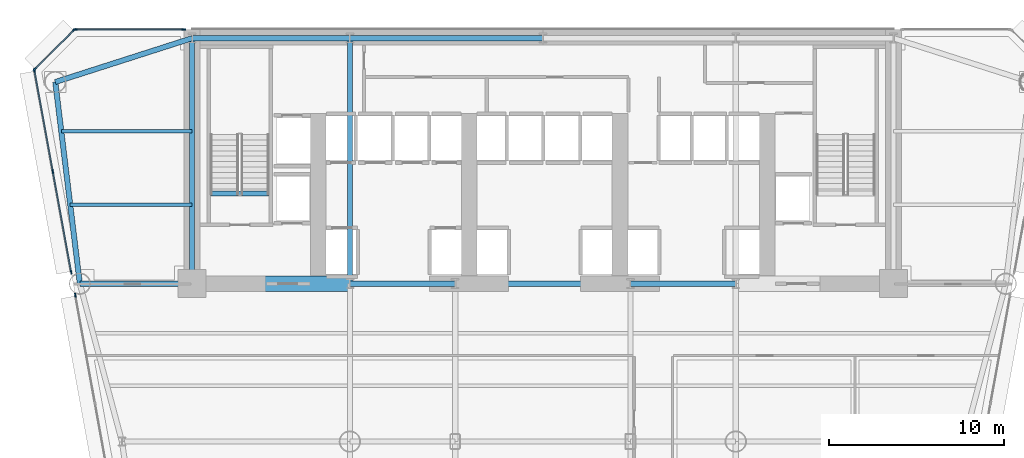
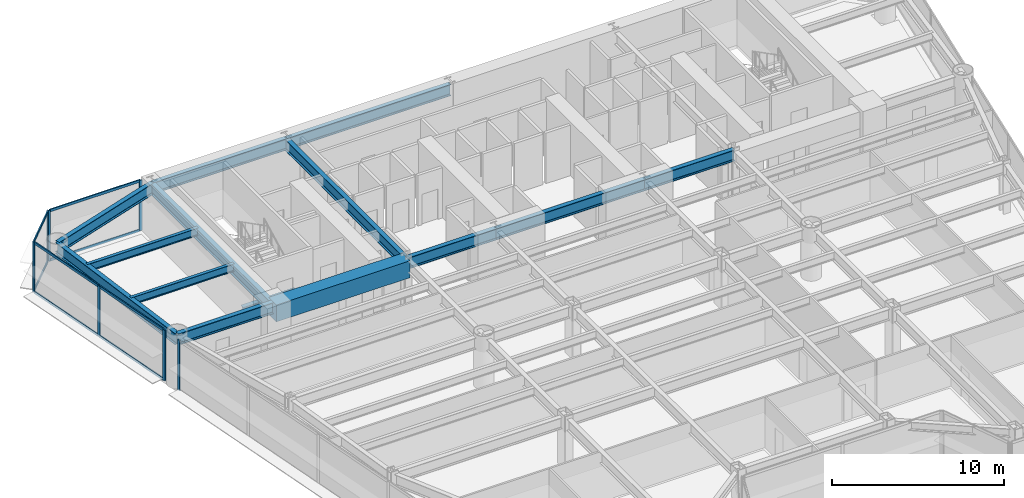
# One storey, part 5 of 14: 16 members, 14 beams, 4 elements without a shape of their own.
"""IFC4 building model written with IfcOpenShell, lengths in metres."""

from ifc_helpers import new_model, si_unit, direction, frame, origin, origin_2d, place, context, subcontext, project, spatial, rectangle, i_section, extrude, source, transform, mapped, material, layer, layer_set, material_profile, profile_set, type_object, element, aggregate, save


model = new_model("IFC4")

# Units and contexts
model_context = context("Model", 3, precision=1e-05, world=origin(), true_north=direction((0.0, 1.0)))
body_context = subcontext(model_context, "Body", "Model", "MODEL_VIEW")
ifc_project = project(units=[si_unit("LENGTHUNIT", "METRE"), si_unit("AREAUNIT", "SQUARE_METRE"), si_unit("VOLUMEUNIT", "CUBIC_METRE"), si_unit("PLANEANGLEUNIT", "RADIAN"), si_unit("MASSUNIT", "GRAM", prefix="KILO")], contexts=[model_context])

# Site, building, storey
site_placement = place(None, origin())
site = spatial("IfcSite", under=ifc_project, at=site_placement, CompositionType="ELEMENT")
building_placement = place(site_placement, origin())
building = spatial("IfcBuilding", under=site, at=building_placement, Name="Vaeldorn Concourse Tower", CompositionType="ELEMENT")
storey_placement = place(building_placement, frame((0.0, 0.0, 60.60009765625)))
storey = spatial("IfcBuildingStorey", under=building, at=storey_placement, Name="L15", CompositionType="ELEMENT", Elevation=60.60009765625)

# Beams
ifc_material_1 = material(Name="Concrete C60/75", Category="concrete")
ifc_material_profile_1 = material_profile(ifc_material_1, rectangle(XDim=0.89990234375, YDim=1.199951171875, at=origin_2d()), Name="RC 900x1200")
ifc_profile_set_1 = profile_set([ifc_material_profile_1], Name="Concrete C60/75")
beam_type_1 = type_object("IfcBeamType", Name="BM-CB-RC900", PredefinedType="BEAM", material=ifc_profile_set_1)
shared_shape_1 = source(origin(), body_context, "Body", "SweptSolid", [
    extrude(rectangle(XDim=0.89990234375, YDim=1.199951171875, at=origin_2d()), origin(), (0.0, 0.0, 1.0), 9.0),
])
beam_1_placement = place(storey_placement, frame((14.0, 36.5, 2.97998046875), z_axis=(1.0, 0.0, 0.0), x_axis=(0.0, 1.0, 0.0)))
element("IfcBeam", 1, at=beam_1_placement, inside=storey, type_object=beam_type_1, Name="Core Coupling Beam L15-1", PredefinedType="BEAM", context=body_context, shape_type="MappedRepresentation", body=[
    mapped(shared_shape_1, transform((0.0, 0.0, 0.0), scale=1.0)),
])
ifc_material_2 = material(Name="Steel S355", Category="steel")
ifc_material_profile_2 = material_profile(ifc_material_2, i_section(OverallWidth=0.300048828125, OverallDepth=0.340087890625, WebThickness=0.011962890625, FlangeThickness=0.021484375, FilletRadius=0.027099609375, at=origin_2d()), Name="HEB 340")
ifc_profile_set_2 = profile_set([ifc_material_profile_2], Name="Steel S355")
beam_type_2 = type_object("IfcBeamType", Name="BM-ST-TRIM", PredefinedType="BEAM", material=ifc_profile_set_2)
shared_shape_2 = source(origin(), body_context, "Body", "SweptSolid", [
    extrude(i_section(OverallWidth=0.300048828125, OverallDepth=0.340087890625, WebThickness=0.011962890625, FlangeThickness=0.021484375, FilletRadius=0.027099609375, at=origin_2d()), origin(), (0.0, 0.0, 1.0), 3.590087890625),
])
beam_2_placement = place(storey_placement, frame((14.929931640625, 41.639892578125, -0.39013671875), z_axis=(1.0, 0.0, 0.0), x_axis=(0.0, 1.0, 0.0)))
element("IfcBeam", 2, at=beam_2_placement, inside=storey, type_object=beam_type_2, Name="Stair Landing Trimmer Beam ST-1 L15", PredefinedType="BEAM", context=body_context, shape_type="MappedRepresentation", body=[
    mapped(shared_shape_2, transform((0.0, 0.0, 0.0), scale=1.0)),
])
ifc_material_profile_3 = material_profile(ifc_material_2, i_section(OverallWidth=0.300048828125, OverallDepth=0.800048828125, WebThickness=0.017578125, FlangeThickness=0.032958984375, FilletRadius=0.030029296875, at=origin_2d()), Name="HEB 800")
ifc_profile_set_3 = profile_set([ifc_material_profile_3], Name="Steel S355")
beam_type_3 = type_object("IfcBeamType", Name="BM-PG-HEB800", PredefinedType="BEAM", material=ifc_profile_set_3)
shared_shape_3 = source(origin(), body_context, "Body", "SweptSolid", [
    extrude(i_section(OverallWidth=0.300048828125, OverallDepth=0.800048828125, WebThickness=0.017578125, FlangeThickness=0.032958984375, FilletRadius=0.030029296875, at=origin_2d()), origin(), (0.0, 0.0, 1.0), 6.0),
])
for number, where, z_axis, x_axis, name in (
    (3, (23.0, 36.5, 3.179931640625), (1.0, 0.0, 0.0), (0.0, 1.0, 0.0), "Beam BM-L15-C-FC2-C-FC3"),
    (4, (39.0, 36.5, 3.179931640625), (1.0, 0.0, 0.0), (0.0, 1.0, 0.0), "Beam BM-L15-C-FC4-C-FC5"),
):
    element("IfcBeam", number, at=place(storey_placement, frame(where, z_axis=z_axis, x_axis=x_axis)), inside=storey, type_object=beam_type_3, Name=name, PredefinedType="BEAM", context=body_context, shape_type="MappedRepresentation", body=[
        mapped(shared_shape_3, transform((0.0, 0.0, 0.0), scale=1.0)),
    ])
shared_shape_4 = source(origin(), body_context, "Body", "SweptSolid", [
    extrude(i_section(OverallWidth=0.300048828125, OverallDepth=0.800048828125, WebThickness=0.017578125, FlangeThickness=0.032958984375, FilletRadius=0.030029296875, at=origin_2d()), origin(), (0.0, 0.0, 1.0), 10.0),
])
beam_3_placement = place(storey_placement, frame((29.0, 36.5, 3.179931640625), z_axis=(1.0, 0.0, 0.0), x_axis=(0.0, 1.0, 0.0)))
element("IfcBeam", 5, at=beam_3_placement, inside=storey, type_object=beam_type_3, Name="Beam BM-L15-C-FC3-C-FC4", PredefinedType="BEAM", context=body_context, shape_type="MappedRepresentation", body=[
    mapped(shared_shape_4, transform((0.0, 0.0, 0.0), scale=1.0)),
])
shared_shape_5 = source(origin(), body_context, "Body", "SweptSolid", [
    extrude(i_section(OverallWidth=0.300048828125, OverallDepth=0.800048828125, WebThickness=0.017578125, FlangeThickness=0.032958984375, FilletRadius=0.030029296875, at=origin_2d()), origin(), (0.0, 0.0, 1.0), 9.0),
])
beam_4_placement = place(storey_placement, frame((14.0, 50.5, 3.179931640625), z_axis=(1.0, 0.0, 0.0), x_axis=(0.0, 1.0, 0.0)))
element("IfcBeam", 6, at=beam_4_placement, inside=storey, type_object=beam_type_3, Name="Beam BM-L15-C-HC1-C-HC2", PredefinedType="BEAM", context=body_context, shape_type="MappedRepresentation", body=[
    mapped(shared_shape_5, transform((0.0, 0.0, 0.0), scale=1.0)),
])
shared_shape_6 = source(origin(), body_context, "Body", "SweptSolid", [
    extrude(i_section(OverallWidth=0.300048828125, OverallDepth=0.800048828125, WebThickness=0.017578125, FlangeThickness=0.032958984375, FilletRadius=0.030029296875, at=origin_2d()), origin(), (0.0, 0.0, 1.0), 11.0),
])
beam_5_placement = place(storey_placement, frame((23.0, 50.5, 3.179931640625), z_axis=(1.0, 0.0, 0.0), x_axis=(0.0, 1.0, 0.0)))
element("IfcBeam", 7, at=beam_5_placement, inside=storey, type_object=beam_type_3, Name="Beam BM-L15-C-HC2-C-HC3", PredefinedType="BEAM", context=body_context, shape_type="MappedRepresentation", body=[
    mapped(shared_shape_6, transform((0.0, 0.0, 0.0), scale=1.0)),
])
shared_shape_7 = source(origin(), body_context, "Body", "SweptSolid", [
    extrude(i_section(OverallWidth=0.300048828125, OverallDepth=0.800048828125, WebThickness=0.017578125, FlangeThickness=0.032958984375, FilletRadius=0.030029296875, at=origin_2d()), origin(), (0.0, 0.0, 1.0), 14.0),
])
for number, where, z_axis, x_axis, name in (
    (8, (14.0, 36.5, 3.179931640625), (0.0, 1.0, 0.0), (-1.0, 0.0, 0.0), "Beam BM-L15-C-FC1-C-HC1"),
    (9, (23.0, 36.5, 3.179931640625), (0.0, 1.0, 0.0), (-1.0, 0.0, 0.0), "Beam BM-L15-C-FC2-C-HC2"),
):
    element("IfcBeam", number, at=place(storey_placement, frame(where, z_axis=z_axis, x_axis=x_axis)), inside=storey, type_object=beam_type_3, Name=name, PredefinedType="BEAM", context=body_context, shape_type="MappedRepresentation", body=[
        mapped(shared_shape_7, transform((0.0, 0.0, 0.0), scale=1.0)),
    ])
shared_shape_8 = source(origin(), body_context, "Body", "SweptSolid", [
    extrude(i_section(OverallWidth=0.300048828125, OverallDepth=0.800048828125, WebThickness=0.017578125, FlangeThickness=0.032958984375, FilletRadius=0.030029296875, at=origin_2d()), origin(), (0.0, 0.0, 1.0), 8.19091796875),
])
beam_6_placement = place(storey_placement, frame((6.199951171875, 48.0, 3.179931640625), z_axis=(0.952282843383, 0.305216949396, 0.0), x_axis=(-0.305216949396, 0.952282843383, 0.0)))
element("IfcBeam", 10, at=beam_6_placement, inside=storey, type_object=beam_type_3, Name="Beam BM-L15-C-NW1-C-HC1", PredefinedType="BEAM", context=body_context, shape_type="MappedRepresentation", body=[
    mapped(shared_shape_8, transform((0.0, 0.0, 0.0), scale=1.0)),
])
shared_shape_9 = source(origin(), body_context, "Body", "SweptSolid", [
    extrude(i_section(OverallWidth=0.300048828125, OverallDepth=0.800048828125, WebThickness=0.017578125, FlangeThickness=0.032958984375, FilletRadius=0.030029296875, at=origin_2d()), origin(), (0.0, 0.0, 1.0), 11.5849609375),
])
beam_7_placement = place(storey_placement, frame((6.199951171875, 48.0, 3.179931640625), z_axis=(0.120859382899, -0.992669637677, 0.0), x_axis=(0.992669637677, 0.120859382899, 0.0)))
element("IfcBeam", 11, at=beam_7_placement, inside=storey, type_object=beam_type_3, Name="Beam BM-L15-C-NW1-C-NW2", PredefinedType="BEAM", context=body_context, shape_type="MappedRepresentation", body=[
    mapped(shared_shape_9, transform((0.0, 0.0, 0.0), scale=1.0)),
])
shared_shape_10 = source(origin(), body_context, "Body", "SweptSolid", [
    extrude(i_section(OverallWidth=0.300048828125, OverallDepth=0.800048828125, WebThickness=0.017578125, FlangeThickness=0.032958984375, FilletRadius=0.030029296875, at=origin_2d()), origin(), (0.0, 0.0, 1.0), 6.39990234375),
])
beam_8_placement = place(storey_placement, frame((7.60009765625, 36.5, 3.179931640625), z_axis=(1.0, 0.0, 0.0), x_axis=(0.0, 1.0, 0.0)))
element("IfcBeam", 12, at=beam_8_placement, inside=storey, type_object=beam_type_3, Name="Beam BM-L15-C-NW2-C-FC1", PredefinedType="BEAM", context=body_context, shape_type="MappedRepresentation", body=[
    mapped(shared_shape_10, transform((0.0, 0.0, 0.0), scale=1.0)),
])
ifc_material_profile_4 = material_profile(ifc_material_2, i_section(OverallWidth=0.2099609375, OverallDepth=0.550048828125, WebThickness=0.010986328125, FlangeThickness=0.01708984375, FilletRadius=0.02392578125, at=origin_2d()), Name="IPE 550")
ifc_profile_set_4 = profile_set([ifc_material_profile_4], Name="Steel S355")
beam_type_4 = type_object("IfcBeamType", Name="BM-JS-IPE550", PredefinedType="JOIST", material=ifc_profile_set_4)
shared_shape_11 = source(origin(), body_context, "Body", "SweptSolid", [
    extrude(i_section(OverallWidth=0.2099609375, OverallDepth=0.550048828125, WebThickness=0.010986328125, FlangeThickness=0.01708984375, FilletRadius=0.02392578125, at=origin_2d()), origin(), (0.0, 0.0, 1.0), 6.94775390625),
])
beam_9_placement = place(storey_placement, frame((7.05224609375, 41.0, 3.304931640625), z_axis=(1.0, 0.0, 0.0), x_axis=(0.0, 1.0, 0.0)))
element("IfcBeam", 13, at=beam_9_placement, inside=storey, type_object=beam_type_4, Name="Beam JS-L15-NW-410", PredefinedType="JOIST", context=body_context, shape_type="MappedRepresentation", body=[
    mapped(shared_shape_11, transform((0.0, 0.0, 0.0), scale=1.0)),
])
shared_shape_12 = source(origin(), body_context, "Body", "SweptSolid", [
    extrude(i_section(OverallWidth=0.2099609375, OverallDepth=0.550048828125, WebThickness=0.010986328125, FlangeThickness=0.01708984375, FilletRadius=0.02392578125, at=origin_2d()), origin(), (0.0, 0.0, 1.0), 7.458984375),
])
beam_10_placement = place(storey_placement, frame((6.541015625, 45.199951171875, 3.304931640625), z_axis=(1.0, 0.0, 0.0), x_axis=(0.0, 1.0, 0.0)))
element("IfcBeam", 14, at=beam_10_placement, inside=storey, type_object=beam_type_4, Name="Beam JS-L15-NW-452", PredefinedType="JOIST", context=body_context, shape_type="MappedRepresentation", body=[
    mapped(shared_shape_12, transform((0.0, 0.0, 0.0), scale=1.0)),
])

# Curtain wall, members
ifc_material_3 = material(Name="Anodised Bronze Aluminium", Category="aluminium")
ifc_layer = layer(ifc_material_3, 0.219970703125)
ifc_layer_set = layer_set([ifc_layer], Name="Anodised Bronze Aluminium")
curtain_wall_type = type_object("IfcCurtainWallType", Name="CW-SYS-01", PredefinedType="NOTDEFINED", material=ifc_layer_set)
curtain_wall_1_placement = place(storey_placement, origin())
curtain_wall_1 = element("IfcCurtainWall", 15, at=curtain_wall_1_placement, inside=storey, type_object=curtain_wall_type, Name="Unitised Curtain Wall CW-L15-E09-2", PredefinedType="NOTDEFINED")
ifc_material_profile_5 = material_profile(ifc_material_3, rectangle(XDim=0.074951171875, YDim=0.219970703125, at=origin_2d()), Name="CWM 75x220")
ifc_profile_set_5 = profile_set([ifc_material_profile_5], Name="Anodised Bronze Aluminium")
member_type_1 = type_object("IfcMemberType", Name="CWM-BRONZE-220", PredefinedType="MULLION", material=ifc_profile_set_5)
shared_shape_13 = source(origin(), body_context, "Body", "SweptSolid", [
    extrude(rectangle(XDim=0.074951171875, YDim=0.219970703125, at=origin_2d()), origin(), (0.0, 0.0, 1.0), 3.579833984375),
])
member_1_placement = place(storey_placement, frame((13.517578125, 51.0, 0.0), z_axis=(0.0, 0.0, 1.0), x_axis=(0.0, -1.0, 0.0)))
member_1 = element("IfcMember", 16, at=member_1_placement, type_object=member_type_1, Name="CW-01 mullion 1", PredefinedType="MULLION", context=body_context, shape_type="MappedRepresentation", body=[
    mapped(shared_shape_13, transform((0.0, 0.0, 0.0), scale=1.0)),
])
member_2_placement = place(storey_placement, frame((7.33740234375, 51.0, 0.0), z_axis=(0.0, 0.0, 1.0), x_axis=(0.0, -1.0, 0.0)))
member_2 = element("IfcMember", 17, at=member_2_placement, type_object=member_type_1, Name="CW-01 mullion 2", PredefinedType="MULLION", context=body_context, shape_type="MappedRepresentation", body=[
    mapped(shared_shape_13, transform((0.0, 0.0, 0.0), scale=1.0)),
])

curtain_wall_2_placement = place(storey_placement, origin())
curtain_wall_2 = element("IfcCurtainWall", 18, at=curtain_wall_2_placement, inside=storey, type_object=curtain_wall_type, Name="Unitised Curtain Wall CW-L15-E10-1", PredefinedType="NOTDEFINED")
member_3_placement = place(storey_placement, frame((7.2734375, 50.973388671875, 0.0), z_axis=(0.0, 0.0, 1.0), x_axis=(0.707106781187, -0.707106781187, 0.0)))
member_3 = element("IfcMember", 19, at=member_3_placement, type_object=member_type_1, Name="CW-01 mullion 1", PredefinedType="MULLION", context=body_context, shape_type="MappedRepresentation", body=[
    mapped(shared_shape_13, transform((0.0, 0.0, 0.0), scale=1.0)),
])
member_4_placement = place(storey_placement, frame((5.026611328125, 48.7265625, 0.0), z_axis=(0.0, 0.0, 1.0), x_axis=(0.707106781187, -0.707106781187, 0.0)))
member_4 = element("IfcMember", 20, at=member_4_placement, type_object=member_type_1, Name="CW-01 mullion 2", PredefinedType="MULLION", context=body_context, shape_type="MappedRepresentation", body=[
    mapped(shared_shape_13, transform((0.0, 0.0, 0.0), scale=1.0)),
])

curtain_wall_3_placement = place(storey_placement, origin())
curtain_wall_3 = element("IfcCurtainWall", 21, at=curtain_wall_3_placement, inside=storey, type_object=curtain_wall_type, Name="Unitised Curtain Wall CW-L15-E11-1", PredefinedType="NOTDEFINED")
member_5_placement = place(storey_placement, frame((5.0068359375, 48.6630859375, 0.0), z_axis=(0.0, 0.0, 1.0), x_axis=(0.983779259951, 0.179383298246, 0.0)))
member_5 = element("IfcMember", 22, at=member_5_placement, type_object=member_type_1, Name="CW-01 mullion 1", PredefinedType="MULLION", context=body_context, shape_type="MappedRepresentation", body=[
    mapped(shared_shape_13, transform((0.0, 0.0, 0.0), scale=1.0)),
])
member_6_placement = place(storey_placement, frame((6.055908203125, 42.90966796875, 0.0), z_axis=(0.0, 0.0, 1.0), x_axis=(0.983779259951, 0.179383298246, 0.0)))
member_6 = element("IfcMember", 23, at=member_6_placement, type_object=member_type_1, Name="CW-01 mullion 2", PredefinedType="MULLION", context=body_context, shape_type="MappedRepresentation", body=[
    mapped(shared_shape_13, transform((0.0, 0.0, 0.0), scale=1.0)),
])
member_7_placement = place(storey_placement, frame((7.10498046875, 37.156494140625, 0.0), z_axis=(0.0, 0.0, 1.0), x_axis=(0.983779259951, 0.179383298246, 0.0)))
member_7 = element("IfcMember", 24, at=member_7_placement, type_object=member_type_1, Name="CW-01 mullion 3", PredefinedType="MULLION", context=body_context, shape_type="MappedRepresentation", body=[
    mapped(shared_shape_13, transform((0.0, 0.0, 0.0), scale=1.0)),
])

# Curtain wall, member
curtain_wall_4_placement = place(storey_placement, origin())
curtain_wall_4 = element("IfcCurtainWall", 25, at=curtain_wall_4_placement, inside=storey, type_object=curtain_wall_type, Name="Unitised Curtain Wall CW-L15-E11-2", PredefinedType="NOTDEFINED")
member_8_placement = place(storey_placement, frame((7.34423828125, 35.843505859375, 0.0), z_axis=(0.0, 0.0, 1.0), x_axis=(0.98377915742, 0.179383860553, 0.0)))
member_8 = element("IfcMember", 26, at=member_8_placement, type_object=member_type_1, Name="CW-01 mullion 1", PredefinedType="MULLION", context=body_context, shape_type="MappedRepresentation", body=[
    mapped(shared_shape_13, transform((0.0, 0.0, 0.0), scale=1.0)),
])
aggregate(curtain_wall_4, [member_8])

# Member
ifc_material_profile_6 = material_profile(ifc_material_3, rectangle(XDim=0.074951171875, YDim=0.179931640625, at=origin_2d()), Name="CWT 75x180")
ifc_profile_set_6 = profile_set([ifc_material_profile_6], Name="Anodised Bronze Aluminium")
member_type_2 = type_object("IfcMemberType", Name="CWT-BRONZE-180", PredefinedType="USERDEFINED", material=ifc_profile_set_6)
shared_shape_14 = source(origin(), body_context, "Body", "SweptSolid", [
    extrude(rectangle(XDim=0.074951171875, YDim=0.179931640625, at=origin_2d()), origin(), (0.0, 0.0, 1.0), 3.10302734375),
])
member_9_placement = place(storey_placement, frame((7.2470703125, 50.947021484375, 0.037353515625), z_axis=(-0.707106781187, -0.707106781187, 0.0), x_axis=(0.707106781187, -0.707106781187, 0.0)))
member_9 = element("IfcMember", 27, at=member_9_placement, type_object=member_type_2, Name="CW-01 transom 1.1", ObjectType="TRANSOM", PredefinedType="USERDEFINED", context=body_context, shape_type="MappedRepresentation", body=[
    mapped(shared_shape_14, transform((0.0, 0.0, 0.0), scale=1.0)),
])

member_10_placement = place(storey_placement, frame((7.2470703125, 50.947021484375, 3.54248046875), z_axis=(-0.707106781187, -0.707106781187, 0.0), x_axis=(0.707106781187, -0.707106781187, 0.0)))
member_10 = element("IfcMember", 28, at=member_10_placement, type_object=member_type_2, Name="CW-01 transom 1.2", ObjectType="TRANSOM", PredefinedType="USERDEFINED", context=body_context, shape_type="MappedRepresentation", body=[
    mapped(shared_shape_14, transform((0.0, 0.0, 0.0), scale=1.0)),
])

aggregate(curtain_wall_2, [member_3, member_4, member_9, member_10])

shared_shape_15 = source(origin(), body_context, "Body", "SweptSolid", [
    extrude(rectangle(XDim=0.074951171875, YDim=0.179931640625, at=origin_2d()), origin(), (0.0, 0.0, 1.0), 6.10498046875),
])
member_11_placement = place(storey_placement, frame((13.47998046875, 51.0, 0.037353515625), z_axis=(-1.0, 0.0, 0.0), x_axis=(0.0, -1.0, 0.0)))
member_11 = element("IfcMember", 29, at=member_11_placement, type_object=member_type_2, Name="CW-01 transom 1.1", ObjectType="TRANSOM", PredefinedType="USERDEFINED", context=body_context, shape_type="MappedRepresentation", body=[
    mapped(shared_shape_15, transform((0.0, 0.0, 0.0), scale=1.0)),
])

member_12_placement = place(storey_placement, frame((13.47998046875, 51.0, 3.54248046875), z_axis=(-1.0, 0.0, 0.0), x_axis=(0.0, -1.0, 0.0)))
member_12 = element("IfcMember", 30, at=member_12_placement, type_object=member_type_2, Name="CW-01 transom 1.2", ObjectType="TRANSOM", PredefinedType="USERDEFINED", context=body_context, shape_type="MappedRepresentation", body=[
    mapped(shared_shape_15, transform((0.0, 0.0, 0.0), scale=1.0)),
])

aggregate(curtain_wall_1, [member_1, member_2, member_11, member_12])

shared_shape_16 = source(origin(), body_context, "Body", "SweptSolid", [
    extrude(rectangle(XDim=0.074951171875, YDim=0.179931640625, at=origin_2d()), origin(), (0.0, 0.0, 1.0), 5.773193359375),
])
member_13_placement = place(storey_placement, frame((6.0625, 42.872802734375, 0.037353515625), z_axis=(0.179391533785, -0.983777758239, 0.0), x_axis=(0.983777758239, 0.179391533785, 0.0)))
member_13 = element("IfcMember", 31, at=member_13_placement, type_object=member_type_2, Name="CW-01 transom 2.1", ObjectType="TRANSOM", PredefinedType="USERDEFINED", context=body_context, shape_type="MappedRepresentation", body=[
    mapped(shared_shape_16, transform((0.0, 0.0, 0.0), scale=1.0)),
])

member_14_placement = place(storey_placement, frame((6.0625, 42.872802734375, 3.54248046875), z_axis=(0.179391533785, -0.983777758239, 0.0), x_axis=(0.983777758239, 0.179391533785, 0.0)))
member_14 = element("IfcMember", 32, at=member_14_placement, type_object=member_type_2, Name="CW-01 transom 2.2", ObjectType="TRANSOM", PredefinedType="USERDEFINED", context=body_context, shape_type="MappedRepresentation", body=[
    mapped(shared_shape_16, transform((0.0, 0.0, 0.0), scale=1.0)),
])

shared_shape_17 = source(origin(), body_context, "Body", "SweptSolid", [
    extrude(rectangle(XDim=0.074951171875, YDim=0.179931640625, at=origin_2d()), origin(), (0.0, 0.0, 1.0), 5.7734375),
])
member_15_placement = place(storey_placement, frame((5.013427734375, 48.626220703125, 0.037353515625), z_axis=(0.179384070802, -0.983779119082, 0.0), x_axis=(0.983779119082, 0.179384070802, 0.0)))
member_15 = element("IfcMember", 33, at=member_15_placement, type_object=member_type_2, Name="CW-01 transom 1.1", ObjectType="TRANSOM", PredefinedType="USERDEFINED", context=body_context, shape_type="MappedRepresentation", body=[
    mapped(shared_shape_17, transform((0.0, 0.0, 0.0), scale=1.0)),
])

member_16_placement = place(storey_placement, frame((5.013427734375, 48.626220703125, 3.54248046875), z_axis=(0.179384070802, -0.983779119082, 0.0), x_axis=(0.983779119082, 0.179384070802, 0.0)))
member_16 = element("IfcMember", 34, at=member_16_placement, type_object=member_type_2, Name="CW-01 transom 1.2", ObjectType="TRANSOM", PredefinedType="USERDEFINED", context=body_context, shape_type="MappedRepresentation", body=[
    mapped(shared_shape_17, transform((0.0, 0.0, 0.0), scale=1.0)),
])

aggregate(curtain_wall_3, [member_5, member_6, member_7, member_15, member_16, member_13, member_14])

save(model, "model.ifc")
